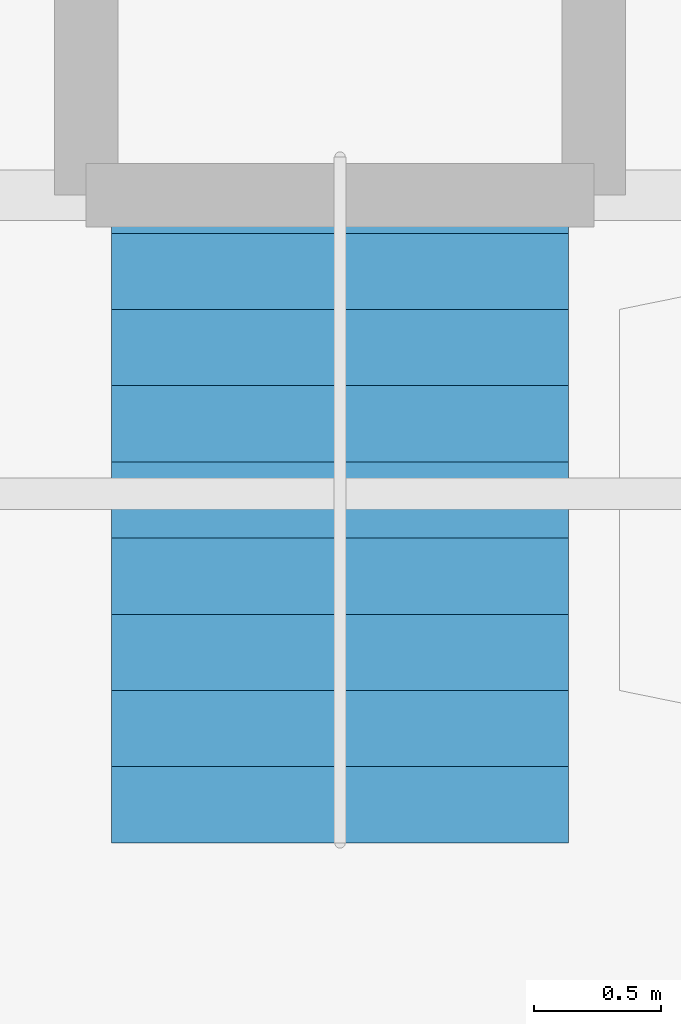
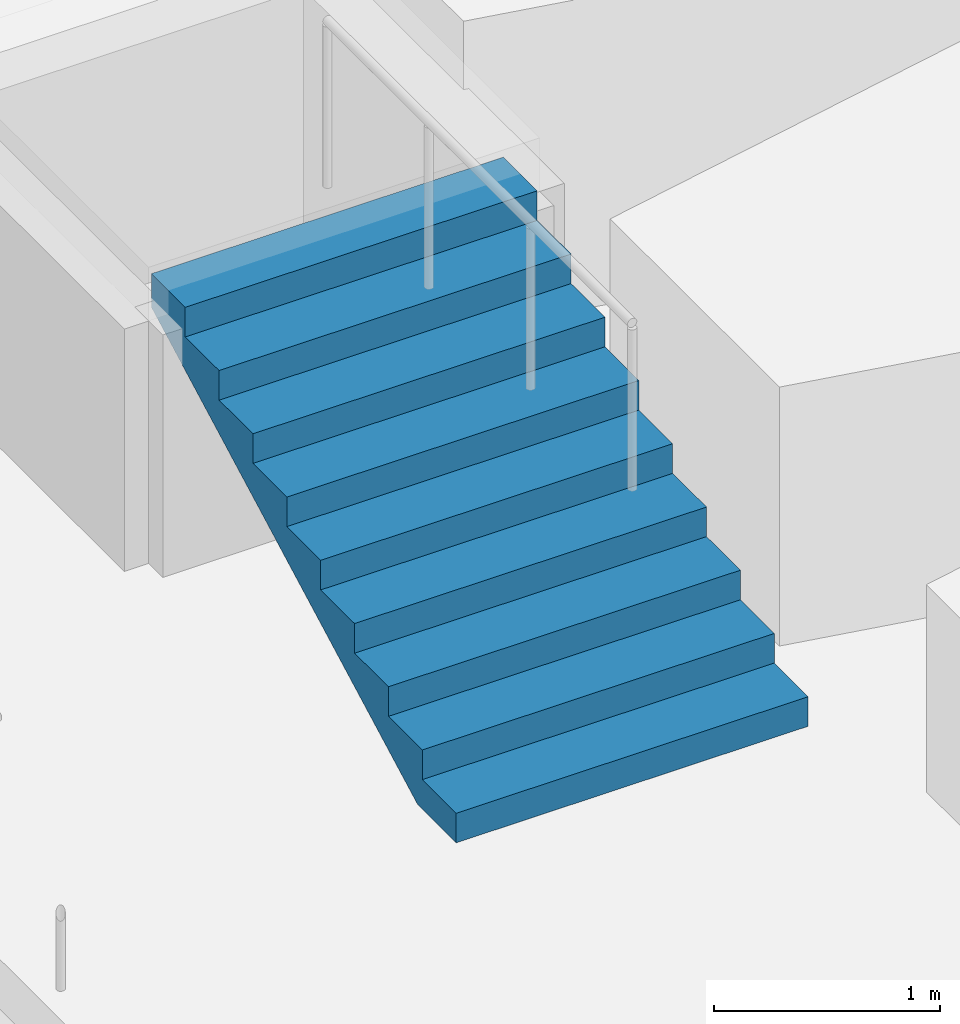
# One storey, part 75 of 86: 1 stair flight, 1 element without a shape of its own.
"""IFC4 building model written with IfcOpenShell, lengths in metres."""

import ifcopenshell
import ifcopenshell.guid

model = None  # the IFC model being written
_history = None  # IfcOwnerHistory: only IFC2X3 demands one
_inside = {}  # id of a spatial element -> (the spatial element, [elements in it])
_under = {}  # id of a project, library or spatial element -> (it, [spatial elements below it])
_declared = {}  # id of a project -> (the project, [libraries it declares])
_typed = {}  # id of a type object -> (the type object, [elements of that type])
_made_of = {}  # id of a material, layer set ... -> (it, [elements and type objects made of it])


def new_model(schema):
    """Start an empty IFC model of exactly this schema.

    Asked for "IFC4X3", IfcOpenShell would pick the latest addendum, in which some entities
    have other attributes; the version numbers below select the first issue.
    IFC2X3 requires an IfcOwnerHistory on every rooted entity: one is made here for all.
    """
    global model, _history
    if schema == "IFC4X3":
        model = ifcopenshell.file(schema_version=(4, 3, 0, 0))
    else:
        model = ifcopenshell.file(schema=schema)
    _inside.clear()
    _under.clear()
    _declared.clear()
    _typed.clear()
    _made_of.clear()
    _history = None
    if model.schema == "IFC2X3":
        org = make("IfcOrganization", Name="unknown")
        user = make(
            "IfcPersonAndOrganization",
            ThePerson=make("IfcPerson", FamilyName="unknown"),
            TheOrganization=org,
        )
        app = make(
            "IfcApplication",
            ApplicationDeveloper=org,
            Version="unknown",
            ApplicationFullName="unknown",
            ApplicationIdentifier="unknown",
        )
        _history = make(
            "IfcOwnerHistory",
            OwningUser=user,
            OwningApplication=app,
            ChangeAction="ADDED",
            CreationDate=0,
        )
    return model


def make(cls, **values):
    """One entity of the class cls with the attributes given. An attribute that is None is left unset."""
    return model.create_entity(
        cls, **{name: value for name, value in values.items() if value is not None}
    )


def rooted(cls, **values):
    """An entity with a GlobalId (a new one), such as an element, a storey or a relation."""
    return make(cls, GlobalId=ifcopenshell.guid.new(), OwnerHistory=_history, **values)


def si_unit(unit_type, name, prefix=None):
    """IfcSIUnit, for example si_unit("LENGTHUNIT", "METRE", prefix="MILLI")."""
    return make("IfcSIUnit", UnitType=unit_type, Prefix=prefix, Name=name)


def assignment(units):
    """IfcUnitAssignment: the units of a project."""
    return None if units is None else make("IfcUnitAssignment", Units=units)


def point(xyz):
    """IfcCartesianPoint."""
    return None if xyz is None else make("IfcCartesianPoint", Coordinates=xyz)


def direction(xyz):
    """IfcDirection."""
    return None if xyz is None else make("IfcDirection", DirectionRatios=xyz)


def frame(location, z_axis=None, x_axis=None):
    """IfcAxis2Placement3D, a coordinate frame: its origin and axes. An axis left out is left unset."""
    return make(
        "IfcAxis2Placement3D",
        Location=point(location),
        Axis=direction(z_axis),
        RefDirection=direction(x_axis),
    )


def origin():
    """The frame at (0, 0, 0) with its axes left unset."""
    return frame((0.0, 0.0, 0.0))


def place(relative_to, where):
    """IfcLocalPlacement: puts the frame where relative to a parent placement (None: the world)."""
    return make(
        "IfcLocalPlacement", PlacementRelTo=relative_to, RelativePlacement=where
    )


def context(
    kind, dimensions, precision=None, world=None, true_north=None, identifier=None
):
    """IfcGeometricRepresentationContext, for example the 3D "Model" context."""
    return make(
        "IfcGeometricRepresentationContext",
        ContextIdentifier=identifier,
        ContextType=kind,
        CoordinateSpaceDimension=dimensions,
        Precision=precision,
        WorldCoordinateSystem=world,
        TrueNorth=true_north,
    )


def subcontext(parent, identifier, kind, view, scale=None):
    """IfcGeometricRepresentationSubContext, for example "Body" below "Model"."""
    return make(
        "IfcGeometricRepresentationSubContext",
        ContextIdentifier=identifier,
        ContextType=kind,
        ParentContext=parent,
        TargetScale=scale,
        TargetView=view,
    )


def project(units=None, contexts=None):
    """IfcProject with its units and contexts."""
    return rooted(
        "IfcProject",
        Name="project",
        RepresentationContexts=contexts,
        UnitsInContext=assignment(units),
    )


def spatial(cls, under=None, at=None, **own):
    """A site, building, storey or space (cls), placed at a placement, below another one or the project."""
    s = rooted(cls, ObjectPlacement=at, **own)
    if under is not None:
        _under.setdefault(under.id(), (under, []))[1].append(s)
    return s


def point_list(points):
    """IfcCartesianPointList2D or 3D."""
    cls = (
        "IfcCartesianPointList2D" if len(points[0]) == 2 else "IfcCartesianPointList3D"
    )
    return make(cls, CoordList=points)


def triangles(points, corners, closed=None, point_numbers=None):
    """IfcTriangulatedFaceSet: each triangle names its three corners, points numbered from 1."""
    return make(
        "IfcTriangulatedFaceSet",
        Coordinates=point_list(points),
        Closed=closed,
        CoordIndex=corners,
        PnIndex=point_numbers,
    )


def shape(context_of_items, identifier, shape_type, items):
    """IfcShapeRepresentation: the items that make up one representation, for example the "Body"."""
    return make(
        "IfcShapeRepresentation",
        ContextOfItems=context_of_items,
        RepresentationIdentifier=identifier,
        RepresentationType=shape_type,
        Items=items,
    )


def material(Name=None, Category=None):
    """IfcMaterial."""
    return make("IfcMaterial", Name=Name, Category=Category)


def layer(
    of_material, thickness, ventilated=None, Name=None, Category=None, Priority=None
):
    """IfcMaterialLayer: one layer of a wall or slab, of a material (None: an air gap)."""
    return make(
        "IfcMaterialLayer",
        Material=of_material,
        LayerThickness=thickness,
        IsVentilated=ventilated,
        Name=Name,
        Category=Category,
        Priority=Priority,
    )


def layer_set(layers, Name=None):
    """IfcMaterialLayerSet."""
    return make("IfcMaterialLayerSet", MaterialLayers=layers, LayerSetName=Name)


def made_of(thing, what):
    """Note that an element or type object is made of a material, layer set ...; save() writes the relation."""
    if what is not None:
        _made_of.setdefault(what.id(), (what, []))[1].append(thing)
    return thing


def type_object(cls, material=None, **own):
    """A type object (cls), such as IfcWallType, which elements share."""
    return made_of(rooted(cls, **own), material)


def element(
    cls,
    number,
    at=None,
    inside=None,
    cuts=None,
    type_object=None,
    material=None,
    context=None,
    identifier="Body",
    shape_type=None,
    held_by="IfcProductDefinitionShape",
    body=None,
    shapes=None,
    **own,
):
    """One element of the class cls, such as IfcWall. Its Tag is "e" and its number.

    at: its placement. inside: the storey or other place that contains it. cuts: it is an
    opening in that element (IfcRelVoidsElement). A single representation is given by context,
    identifier, shape_type and body (its items); several are given by shapes. held_by: the class
    of the entity that holds the representations. save() writes the other relations.
    """
    e = rooted(cls, Tag="e%d" % number, ObjectPlacement=at, **own)
    if body is not None:
        shapes = [shape(context, identifier, shape_type, body)]
    if shapes is not None:
        e.Representation = make(held_by, Representations=shapes)
    if inside is not None:
        _inside.setdefault(inside.id(), (inside, []))[1].append(e)
    if cuts is not None:
        rooted(
            "IfcRelVoidsElement", RelatingBuildingElement=cuts, RelatedOpeningElement=e
        )
    if type_object is not None:
        _typed.setdefault(type_object.id(), (type_object, []))[1].append(e)
    return made_of(e, material)


def aggregate(whole, parts):
    """IfcRelAggregates: a whole, such as a stair, and the parts it consists of."""
    return rooted("IfcRelAggregates", RelatingObject=whole, RelatedObjects=parts)


def save(model, path):
    """Write the relations noted so far, then the file.

    IfcRelAggregates (storeys below a building ...), IfcRelContainedInSpatialStructure (elements
    in a storey), IfcRelDefinesByType, IfcRelAssociatesMaterial and IfcRelDeclares: one each for
    every whole, place, type object, material and project.
    """
    for whole, parts in _under.values():
        aggregate(whole, parts)
    for where, things in _inside.values():
        rooted(
            "IfcRelContainedInSpatialStructure",
            RelatedElements=things,
            RelatingStructure=where,
        )
    for kind, things in _typed.values():
        rooted("IfcRelDefinesByType", RelatedObjects=things, RelatingType=kind)
    for what, things in _made_of.values():
        rooted("IfcRelAssociatesMaterial", RelatedObjects=things, RelatingMaterial=what)
    for by, libraries in _declared.values():
        rooted("IfcRelDeclares", RelatingContext=by, RelatedDefinitions=libraries)
    model.write(path)


model = new_model("IFC4")

# Units and contexts
model_context = context("Model", 3, precision=1e-05, world=origin(), true_north=direction((0.0, 1.0)))
body_context = subcontext(model_context, "Body", "Model", "MODEL_VIEW")
ifc_project = project(units=[si_unit("LENGTHUNIT", "METRE"), si_unit("AREAUNIT", "SQUARE_METRE"), si_unit("VOLUMEUNIT", "CUBIC_METRE"), si_unit("PLANEANGLEUNIT", "RADIAN"), si_unit("MASSUNIT", "GRAM", prefix="KILO")], contexts=[model_context])

# Site, building, storey
site_placement = place(None, origin())
site = spatial("IfcSite", under=ifc_project, at=site_placement, CompositionType="ELEMENT")
building_placement = place(site_placement, origin())
building = spatial("IfcBuilding", under=site, at=building_placement, Name="Solvikara Media Centre", CompositionType="ELEMENT")
storey_placement = place(building_placement, frame((0.0, 0.0, 15.0)))
storey = spatial("IfcBuildingStorey", under=building, at=storey_placement, Name="L03", CompositionType="ELEMENT", Elevation=15.0)

# Stair, stair flight
ifc_material = material(Name="Concrete fc' 35 MPa (C35/45)", Category="concrete")
stair_type = type_object("IfcStairType", Name="SR-07", PredefinedType="STRAIGHT_RUN_STAIR", material=ifc_material)
stair_placement = place(storey_placement, origin())
stair = element("IfcStair", 1, at=stair_placement, inside=storey, type_object=stair_type, Name="ST-AMPH-W", PredefinedType="STRAIGHT_RUN_STAIR")
ifc_layer = layer(ifc_material, 0.159912109375)
ifc_layer_set = layer_set([ifc_layer], Name="Concrete fc' 35 MPa (C35/45)")
stair_flight_type = type_object("IfcStairFlightType", Name="SF-07", PredefinedType="STRAIGHT", material=ifc_layer_set)
stair_flight_placement = place(storey_placement, frame((3.10009765625, 103.25, 0.0), z_axis=(0.0, 0.0, 1.0), x_axis=(0.0, 1.0, 0.0)))
stair_flight = element("IfcStairFlight", 2, at=stair_flight_placement, type_object=stair_flight_type, Name="ST-AMPH-W-F1", NumberOfRisers=10, NumberOfTreads=9, PredefinedType="STRAIGHT", RiserHeight=0.16, TreadLength=0.3, context=body_context, shape_type="Tessellation", body=[
    triangles([(0.33984375, -0.9000244140625, 0.0), (2.699951171875, -0.9000244140625, 1.2587890625), (2.699951171875, -0.9000244140625, 1.43994140625), (2.39990234375, -0.9000244140625, 1.43994140625), (2.39990234375, -0.9000244140625, 1.280029296875), (2.10009765625, -0.9000244140625, 1.280029296875), (2.10009765625, -0.9000244140625, 1.1201171875), (1.800048828125, -0.9000244140625, 1.1201171875), (1.800048828125, -0.9000244140625, 0.9599609375), (1.5, -0.9000244140625, 0.9599609375), (1.5, -0.9000244140625, 0.800048828125), (1.199951171875, -0.9000244140625, 0.800048828125), (1.199951171875, -0.9000244140625, 0.639892578125), (0.89990234375, -0.9000244140625, 0.639892578125), (0.89990234375, -0.9000244140625, 0.47998046875), (0.60009765625, -0.9000244140625, 0.47998046875), (0.60009765625, -0.9000244140625, 0.320068359375), (0.300048828125, -0.9000244140625, 0.320068359375), (0.300048828125, -0.9000244140625, 0.159912109375), (0.0, -0.9000244140625, 0.159912109375), (0.0, -0.9000244140625, 0.0), (0.33984375, -0.675018310546875, 0.0), (2.699951171875, -0.675018310546875, 1.2587890625), (2.699951171875, -0.675018310546875, 1.43994140625), (2.39990234375, -0.675018310546875, 1.43994140625), (2.39990234375, -0.675018310546875, 1.280029296875), (2.10009765625, -0.675018310546875, 1.280029296875), (2.10009765625, -0.675018310546875, 1.1201171875), (1.800048828125, -0.675018310546875, 1.1201171875), (1.800048828125, -0.675018310546875, 0.9599609375), (1.5, -0.675018310546875, 0.9599609375), (1.5, -0.675018310546875, 0.800048828125), (1.199951171875, -0.675018310546875, 0.800048828125), (1.199951171875, -0.675018310546875, 0.639892578125), (0.89990234375, -0.675018310546875, 0.639892578125), (0.89990234375, -0.675018310546875, 0.47998046875), (0.60009765625, -0.675018310546875, 0.47998046875), (0.60009765625, -0.675018310546875, 0.320068359375), (0.300048828125, -0.675018310546875, 0.320068359375), (0.300048828125, -0.675018310546875, 0.159912109375), (0.0, -0.675018310546875, 0.159912109375), (0.0, -0.675018310546875, 0.0), (0.33984375, -0.45001220703125, 0.0), (2.699951171875, -0.45001220703125, 1.2587890625), (2.699951171875, -0.45001220703125, 1.43994140625), (2.39990234375, -0.45001220703125, 1.43994140625), (2.39990234375, -0.45001220703125, 1.280029296875), (2.10009765625, -0.45001220703125, 1.280029296875), (2.10009765625, -0.45001220703125, 1.1201171875), (1.800048828125, -0.45001220703125, 1.1201171875), (1.800048828125, -0.45001220703125, 0.9599609375), (1.5, -0.45001220703125, 0.9599609375), (1.5, -0.45001220703125, 0.800048828125), (1.199951171875, -0.45001220703125, 0.800048828125), (1.199951171875, -0.45001220703125, 0.639892578125), (0.89990234375, -0.45001220703125, 0.639892578125), (0.89990234375, -0.45001220703125, 0.47998046875), (0.60009765625, -0.45001220703125, 0.47998046875), (0.60009765625, -0.45001220703125, 0.320068359375), (0.300048828125, -0.45001220703125, 0.320068359375), (0.300048828125, -0.45001220703125, 0.159912109375), (0.0, -0.45001220703125, 0.159912109375), (0.0, -0.45001220703125, 0.0), (0.33984375, -0.225006103515625, 0.0), (2.699951171875, -0.225006103515625, 1.2587890625), (2.699951171875, -0.225006103515625, 1.43994140625), (2.39990234375, -0.225006103515625, 1.43994140625), (2.39990234375, -0.225006103515625, 1.280029296875), (2.10009765625, -0.225006103515625, 1.280029296875), (2.10009765625, -0.225006103515625, 1.1201171875), (1.800048828125, -0.225006103515625, 1.1201171875), (1.800048828125, -0.225006103515625, 0.9599609375), (1.5, -0.225006103515625, 0.9599609375), (1.5, -0.225006103515625, 0.800048828125), (1.199951171875, -0.225006103515625, 0.800048828125), (1.199951171875, -0.225006103515625, 0.639892578125), (0.89990234375, -0.225006103515625, 0.639892578125), (0.89990234375, -0.225006103515625, 0.47998046875), (0.60009765625, -0.225006103515625, 0.47998046875), (0.60009765625, -0.225006103515625, 0.320068359375), (0.300048828125, -0.225006103515625, 0.320068359375), (0.300048828125, -0.225006103515625, 0.159912109375), (0.0, -0.225006103515625, 0.159912109375), (0.0, -0.225006103515625, 0.0), (0.33984375, 0.0, 0.0), (2.699951171875, 0.0, 1.2587890625), (2.699951171875, 0.0, 1.43994140625), (2.39990234375, 0.0, 1.43994140625), (2.39990234375, 0.0, 1.280029296875), (2.10009765625, 0.0, 1.280029296875), (2.10009765625, 0.0, 1.1201171875), (1.800048828125, 0.0, 1.1201171875), (1.800048828125, 0.0, 0.9599609375), (1.5, 0.0, 0.9599609375), (1.5, 0.0, 0.800048828125), (1.199951171875, 0.0, 0.800048828125), (1.199951171875, 0.0, 0.639892578125), (0.89990234375, 0.0, 0.639892578125), (0.89990234375, 0.0, 0.47998046875), (0.60009765625, 0.0, 0.47998046875), (0.60009765625, 0.0, 0.320068359375), (0.300048828125, 0.0, 0.320068359375), (0.300048828125, 0.0, 0.159912109375), (0.0, 0.0, 0.159912109375), (0.0, 0.0, 0.0), (0.33984375, 0.225006103515625, 0.0), (2.699951171875, 0.225006103515625, 1.2587890625), (2.699951171875, 0.225006103515625, 1.43994140625), (2.39990234375, 0.225006103515625, 1.43994140625), (2.39990234375, 0.225006103515625, 1.280029296875), (2.10009765625, 0.225006103515625, 1.280029296875), (2.10009765625, 0.225006103515625, 1.1201171875), (1.800048828125, 0.225006103515625, 1.1201171875), (1.800048828125, 0.225006103515625, 0.9599609375), (1.5, 0.225006103515625, 0.9599609375), (1.5, 0.225006103515625, 0.800048828125), (1.199951171875, 0.225006103515625, 0.800048828125), (1.199951171875, 0.225006103515625, 0.639892578125), (0.89990234375, 0.225006103515625, 0.639892578125), (0.89990234375, 0.225006103515625, 0.47998046875), (0.60009765625, 0.225006103515625, 0.47998046875), (0.60009765625, 0.225006103515625, 0.320068359375), (0.300048828125, 0.225006103515625, 0.320068359375), (0.300048828125, 0.225006103515625, 0.159912109375), (0.0, 0.225006103515625, 0.159912109375), (0.0, 0.225006103515625, 0.0), (0.33984375, 0.45001220703125, 0.0), (2.699951171875, 0.45001220703125, 1.2587890625), (2.699951171875, 0.45001220703125, 1.43994140625), (2.39990234375, 0.45001220703125, 1.43994140625), (2.39990234375, 0.45001220703125, 1.280029296875), (2.10009765625, 0.45001220703125, 1.280029296875), (2.10009765625, 0.45001220703125, 1.1201171875), (1.800048828125, 0.45001220703125, 1.1201171875), (1.800048828125, 0.45001220703125, 0.9599609375), (1.5, 0.45001220703125, 0.9599609375), (1.5, 0.45001220703125, 0.800048828125), (1.199951171875, 0.45001220703125, 0.800048828125), (1.199951171875, 0.45001220703125, 0.639892578125), (0.89990234375, 0.45001220703125, 0.639892578125), (0.89990234375, 0.45001220703125, 0.47998046875), (0.60009765625, 0.45001220703125, 0.47998046875), (0.60009765625, 0.45001220703125, 0.320068359375), (0.300048828125, 0.45001220703125, 0.320068359375), (0.300048828125, 0.45001220703125, 0.159912109375), (0.0, 0.45001220703125, 0.159912109375), (0.0, 0.45001220703125, 0.0), (0.33984375, 0.675018310546875, 0.0), (2.699951171875, 0.675018310546875, 1.2587890625), (2.699951171875, 0.675018310546875, 1.43994140625), (2.39990234375, 0.675018310546875, 1.43994140625), (2.39990234375, 0.675018310546875, 1.280029296875), (2.10009765625, 0.675018310546875, 1.280029296875), (2.10009765625, 0.675018310546875, 1.1201171875), (1.800048828125, 0.675018310546875, 1.1201171875), (1.800048828125, 0.675018310546875, 0.9599609375), (1.5, 0.675018310546875, 0.9599609375), (1.5, 0.675018310546875, 0.800048828125), (1.199951171875, 0.675018310546875, 0.800048828125), (1.199951171875, 0.675018310546875, 0.639892578125), (0.89990234375, 0.675018310546875, 0.639892578125), (0.89990234375, 0.675018310546875, 0.47998046875), (0.60009765625, 0.675018310546875, 0.47998046875), (0.60009765625, 0.675018310546875, 0.320068359375), (0.300048828125, 0.675018310546875, 0.320068359375), (0.300048828125, 0.675018310546875, 0.159912109375), (0.0, 0.675018310546875, 0.159912109375), (0.0, 0.675018310546875, 0.0), (0.33984375, 0.9000244140625, 0.0), (2.699951171875, 0.9000244140625, 1.2587890625), (2.699951171875, 0.9000244140625, 1.43994140625), (2.39990234375, 0.9000244140625, 1.43994140625), (2.39990234375, 0.9000244140625, 1.280029296875), (2.10009765625, 0.9000244140625, 1.280029296875), (2.10009765625, 0.9000244140625, 1.1201171875), (1.800048828125, 0.9000244140625, 1.1201171875), (1.800048828125, 0.9000244140625, 0.9599609375), (1.5, 0.9000244140625, 0.9599609375), (1.5, 0.9000244140625, 0.800048828125), (1.199951171875, 0.9000244140625, 0.800048828125), (1.199951171875, 0.9000244140625, 0.639892578125), (0.89990234375, 0.9000244140625, 0.639892578125), (0.89990234375, 0.9000244140625, 0.47998046875), (0.60009765625, 0.9000244140625, 0.47998046875), (0.60009765625, 0.9000244140625, 0.320068359375), (0.300048828125, 0.9000244140625, 0.320068359375), (0.300048828125, 0.9000244140625, 0.159912109375), (0.0, 0.9000244140625, 0.159912109375), (0.0, 0.9000244140625, 0.0), (1.5198974609375, -0.7875213623046875, 0.62939453125), (2.699951171875, -0.7875213623046875, 1.349365234375), (2.5499267578125, -0.7875213623046875, 1.43994140625), (2.39990234375, -0.7875213623046875, 1.3599853515625), (2.25, -0.7875213623046875, 1.280029296875), (2.10009765625, -0.7875213623046875, 1.2000732421875), (1.9500732421875, -0.7875213623046875, 1.1201171875), (1.800048828125, -0.7875213623046875, 1.0400390625), (1.6500244140625, -0.7875213623046875, 0.9599609375), (1.5, -0.7875213623046875, 0.8800048828125), (1.3499755859375, -0.7875213623046875, 0.800048828125), (1.199951171875, -0.7875213623046875, 0.719970703125), (1.0499267578125, -0.7875213623046875, 0.639892578125), (0.89990234375, -0.7875213623046875, 0.5599365234375), (0.75, -0.7875213623046875, 0.47998046875), (0.60009765625, -0.7875213623046875, 0.4000244140625), (0.4500732421875, -0.7875213623046875, 0.320068359375), (0.300048828125, -0.7875213623046875, 0.239990234375), (0.1500244140625, -0.7875213623046875, 0.159912109375), (0.0, -0.7875213623046875, 0.0799560546875), (0.169921875, -0.7875213623046875, 0.0), (1.5198974609375, -0.5625152587890625, 0.62939453125), (2.699951171875, -0.5625152587890625, 1.349365234375), (2.5499267578125, -0.5625152587890625, 1.43994140625), (2.39990234375, -0.5625152587890625, 1.3599853515625), (2.25, -0.5625152587890625, 1.280029296875), (2.10009765625, -0.5625152587890625, 1.2000732421875), (1.9500732421875, -0.5625152587890625, 1.1201171875), (1.800048828125, -0.5625152587890625, 1.0400390625), (1.6500244140625, -0.5625152587890625, 0.9599609375), (1.5, -0.5625152587890625, 0.8800048828125), (1.3499755859375, -0.5625152587890625, 0.800048828125), (1.199951171875, -0.5625152587890625, 0.719970703125), (1.0499267578125, -0.5625152587890625, 0.639892578125), (0.89990234375, -0.5625152587890625, 0.5599365234375), (0.75, -0.5625152587890625, 0.47998046875), (0.60009765625, -0.5625152587890625, 0.4000244140625), (0.4500732421875, -0.5625152587890625, 0.320068359375), (0.300048828125, -0.5625152587890625, 0.239990234375), (0.1500244140625, -0.5625152587890625, 0.159912109375), (0.0, -0.5625152587890625, 0.0799560546875), (0.169921875, -0.5625152587890625, 0.0), (1.5198974609375, -0.3375091552734375, 0.62939453125), (2.699951171875, -0.3375091552734375, 1.349365234375), (2.5499267578125, -0.3375091552734375, 1.43994140625), (2.39990234375, -0.3375091552734375, 1.3599853515625), (2.25, -0.3375091552734375, 1.280029296875), (2.10009765625, -0.3375091552734375, 1.2000732421875), (1.9500732421875, -0.3375091552734375, 1.1201171875), (1.800048828125, -0.3375091552734375, 1.0400390625), (1.6500244140625, -0.3375091552734375, 0.9599609375), (1.5, -0.3375091552734375, 0.8800048828125), (1.3499755859375, -0.3375091552734375, 0.800048828125), (1.199951171875, -0.3375091552734375, 0.719970703125), (1.0499267578125, -0.3375091552734375, 0.639892578125), (0.89990234375, -0.3375091552734375, 0.5599365234375), (0.75, -0.3375091552734375, 0.47998046875), (0.60009765625, -0.3375091552734375, 0.4000244140625), (0.4500732421875, -0.3375091552734375, 0.320068359375), (0.300048828125, -0.3375091552734375, 0.239990234375), (0.1500244140625, -0.3375091552734375, 0.159912109375), (0.0, -0.3375091552734375, 0.0799560546875), (0.169921875, -0.3375091552734375, 0.0), (1.5198974609375, -0.1125030517578125, 0.62939453125), (2.699951171875, -0.1125030517578125, 1.349365234375), (2.5499267578125, -0.1125030517578125, 1.43994140625), (2.39990234375, -0.1125030517578125, 1.3599853515625), (2.25, -0.1125030517578125, 1.280029296875), (2.10009765625, -0.1125030517578125, 1.2000732421875), (1.9500732421875, -0.1125030517578125, 1.1201171875), (1.800048828125, -0.1125030517578125, 1.0400390625), (1.6500244140625, -0.1125030517578125, 0.9599609375), (1.5, -0.1125030517578125, 0.8800048828125), (1.3499755859375, -0.1125030517578125, 0.800048828125), (1.199951171875, -0.1125030517578125, 0.719970703125), (1.0499267578125, -0.1125030517578125, 0.639892578125), (0.89990234375, -0.1125030517578125, 0.5599365234375), (0.75, -0.1125030517578125, 0.47998046875), (0.60009765625, -0.1125030517578125, 0.4000244140625), (0.4500732421875, -0.1125030517578125, 0.320068359375), (0.300048828125, -0.1125030517578125, 0.239990234375), (0.1500244140625, -0.1125030517578125, 0.159912109375), (0.0, -0.1125030517578125, 0.0799560546875), (0.169921875, -0.1125030517578125, 0.0), (1.5198974609375, 0.1125030517578125, 0.62939453125), (2.699951171875, 0.1125030517578125, 1.349365234375), (2.5499267578125, 0.1125030517578125, 1.43994140625), (2.39990234375, 0.1125030517578125, 1.3599853515625), (2.25, 0.1125030517578125, 1.280029296875), (2.10009765625, 0.1125030517578125, 1.2000732421875), (1.9500732421875, 0.1125030517578125, 1.1201171875), (1.800048828125, 0.1125030517578125, 1.0400390625), (1.6500244140625, 0.1125030517578125, 0.9599609375), (1.5, 0.1125030517578125, 0.8800048828125), (1.3499755859375, 0.1125030517578125, 0.800048828125), (1.199951171875, 0.1125030517578125, 0.719970703125), (1.0499267578125, 0.1125030517578125, 0.639892578125), (0.89990234375, 0.1125030517578125, 0.5599365234375), (0.75, 0.1125030517578125, 0.47998046875), (0.60009765625, 0.1125030517578125, 0.4000244140625), (0.4500732421875, 0.1125030517578125, 0.320068359375), (0.300048828125, 0.1125030517578125, 0.239990234375), (0.1500244140625, 0.1125030517578125, 0.159912109375), (0.0, 0.1125030517578125, 0.0799560546875), (0.169921875, 0.1125030517578125, 0.0), (1.5198974609375, 0.3375091552734375, 0.62939453125), (2.699951171875, 0.3375091552734375, 1.349365234375), (2.5499267578125, 0.3375091552734375, 1.43994140625), (2.39990234375, 0.3375091552734375, 1.3599853515625), (2.25, 0.3375091552734375, 1.280029296875), (2.10009765625, 0.3375091552734375, 1.2000732421875), (1.9500732421875, 0.3375091552734375, 1.1201171875), (1.800048828125, 0.3375091552734375, 1.0400390625), (1.6500244140625, 0.3375091552734375, 0.9599609375), (1.5, 0.3375091552734375, 0.8800048828125), (1.3499755859375, 0.3375091552734375, 0.800048828125), (1.199951171875, 0.3375091552734375, 0.719970703125), (1.0499267578125, 0.3375091552734375, 0.639892578125), (0.89990234375, 0.3375091552734375, 0.5599365234375), (0.75, 0.3375091552734375, 0.47998046875), (0.60009765625, 0.3375091552734375, 0.4000244140625), (0.4500732421875, 0.3375091552734375, 0.320068359375), (0.300048828125, 0.3375091552734375, 0.239990234375), (0.1500244140625, 0.3375091552734375, 0.159912109375), (0.0, 0.3375091552734375, 0.0799560546875), (0.169921875, 0.3375091552734375, 0.0), (1.5198974609375, 0.5625152587890625, 0.62939453125), (2.699951171875, 0.5625152587890625, 1.349365234375), (2.5499267578125, 0.5625152587890625, 1.43994140625), (2.39990234375, 0.5625152587890625, 1.3599853515625), (2.25, 0.5625152587890625, 1.280029296875), (2.10009765625, 0.5625152587890625, 1.2000732421875), (1.9500732421875, 0.5625152587890625, 1.1201171875), (1.800048828125, 0.5625152587890625, 1.0400390625), (1.6500244140625, 0.5625152587890625, 0.9599609375), (1.5, 0.5625152587890625, 0.8800048828125), (1.3499755859375, 0.5625152587890625, 0.800048828125), (1.199951171875, 0.5625152587890625, 0.719970703125), (1.0499267578125, 0.5625152587890625, 0.639892578125), (0.89990234375, 0.5625152587890625, 0.5599365234375), (0.75, 0.5625152587890625, 0.47998046875), (0.60009765625, 0.5625152587890625, 0.4000244140625), (0.4500732421875, 0.5625152587890625, 0.320068359375), (0.300048828125, 0.5625152587890625, 0.239990234375), (0.1500244140625, 0.5625152587890625, 0.159912109375), (0.0, 0.5625152587890625, 0.0799560546875), (0.169921875, 0.5625152587890625, 0.0), (1.5198974609375, 0.7875213623046875, 0.62939453125), (2.699951171875, 0.7875213623046875, 1.349365234375), (2.5499267578125, 0.7875213623046875, 1.43994140625), (2.39990234375, 0.7875213623046875, 1.3599853515625), (2.25, 0.7875213623046875, 1.280029296875), (2.10009765625, 0.7875213623046875, 1.2000732421875), (1.9500732421875, 0.7875213623046875, 1.1201171875), (1.800048828125, 0.7875213623046875, 1.0400390625), (1.6500244140625, 0.7875213623046875, 0.9599609375), (1.5, 0.7875213623046875, 0.8800048828125), (1.3499755859375, 0.7875213623046875, 0.800048828125), (1.199951171875, 0.7875213623046875, 0.719970703125), (1.0499267578125, 0.7875213623046875, 0.639892578125), (0.89990234375, 0.7875213623046875, 0.5599365234375), (0.75, 0.7875213623046875, 0.47998046875), (0.60009765625, 0.7875213623046875, 0.4000244140625), (0.4500732421875, 0.7875213623046875, 0.320068359375), (0.300048828125, 0.7875213623046875, 0.239990234375), (0.1500244140625, 0.7875213623046875, 0.159912109375), (0.0, 0.7875213623046875, 0.0799560546875), (0.169921875, 0.7875213623046875, 0.0)], [[1, 22, 190], [22, 23, 190], [23, 2, 190], [2, 1, 190], [2, 23, 191], [23, 24, 191], [24, 3, 191], [3, 2, 191], [3, 24, 192], [24, 25, 192], [25, 4, 192], [4, 3, 192], [4, 25, 193], [25, 26, 193], [26, 5, 193], [5, 4, 193], [5, 26, 194], [26, 27, 194], [27, 6, 194], [6, 5, 194], [6, 27, 195], [27, 28, 195], [28, 7, 195], [7, 6, 195], [7, 28, 196], [28, 29, 196], [29, 8, 196], [8, 7, 196], [8, 29, 197], [29, 30, 197], [30, 9, 197], [9, 8, 197], [9, 30, 198], [30, 31, 198], [31, 10, 198], [10, 9, 198], [10, 31, 199], [31, 32, 199], [32, 11, 199], [11, 10, 199], [11, 32, 200], [32, 33, 200], [33, 12, 200], [12, 11, 200], [12, 33, 201], [33, 34, 201], [34, 13, 201], [13, 12, 201], [13, 34, 202], [34, 35, 202], [35, 14, 202], [14, 13, 202], [14, 35, 203], [35, 36, 203], [36, 15, 203], [15, 14, 203], [15, 36, 204], [36, 37, 204], [37, 16, 204], [16, 15, 204], [16, 37, 205], [37, 38, 205], [38, 17, 205], [17, 16, 205], [17, 38, 206], [38, 39, 206], [39, 18, 206], [18, 17, 206], [18, 39, 207], [39, 40, 207], [40, 19, 207], [19, 18, 207], [19, 40, 208], [40, 41, 208], [41, 20, 208], [20, 19, 208], [20, 41, 209], [41, 42, 209], [42, 21, 209], [21, 20, 209], [21, 42, 210], [42, 22, 210], [22, 1, 210], [1, 21, 210], [22, 43, 211], [43, 44, 211], [44, 23, 211], [23, 22, 211], [23, 44, 212], [44, 45, 212], [45, 24, 212], [24, 23, 212], [24, 45, 213], [45, 46, 213], [46, 25, 213], [25, 24, 213], [25, 46, 214], [46, 47, 214], [47, 26, 214], [26, 25, 214], [26, 47, 215], [47, 48, 215], [48, 27, 215], [27, 26, 215], [27, 48, 216], [48, 49, 216], [49, 28, 216], [28, 27, 216], [28, 49, 217], [49, 50, 217], [50, 29, 217], [29, 28, 217], [29, 50, 218], [50, 51, 218], [51, 30, 218], [30, 29, 218], [30, 51, 219], [51, 52, 219], [52, 31, 219], [31, 30, 219], [31, 52, 220], [52, 53, 220], [53, 32, 220], [32, 31, 220], [32, 53, 221], [53, 54, 221], [54, 33, 221], [33, 32, 221], [33, 54, 222], [54, 55, 222], [55, 34, 222], [34, 33, 222], [34, 55, 223], [55, 56, 223], [56, 35, 223], [35, 34, 223], [35, 56, 224], [56, 57, 224], [57, 36, 224], [36, 35, 224], [36, 57, 225], [57, 58, 225], [58, 37, 225], [37, 36, 225], [37, 58, 226], [58, 59, 226], [59, 38, 226], [38, 37, 226], [38, 59, 227], [59, 60, 227], [60, 39, 227], [39, 38, 227], [39, 60, 228], [60, 61, 228], [61, 40, 228], [40, 39, 228], [40, 61, 229], [61, 62, 229], [62, 41, 229], [41, 40, 229], [41, 62, 230], [62, 63, 230], [63, 42, 230], [42, 41, 230], [42, 63, 231], [63, 43, 231], [43, 22, 231], [22, 42, 231], [43, 64, 232], [64, 65, 232], [65, 44, 232], [44, 43, 232], [44, 65, 233], [65, 66, 233], [66, 45, 233], [45, 44, 233], [45, 66, 234], [66, 67, 234], [67, 46, 234], [46, 45, 234], [46, 67, 235], [67, 68, 235], [68, 47, 235], [47, 46, 235], [47, 68, 236], [68, 69, 236], [69, 48, 236], [48, 47, 236], [48, 69, 237], [69, 70, 237], [70, 49, 237], [49, 48, 237], [49, 70, 238], [70, 71, 238], [71, 50, 238], [50, 49, 238], [50, 71, 239], [71, 72, 239], [72, 51, 239], [51, 50, 239], [51, 72, 240], [72, 73, 240], [73, 52, 240], [52, 51, 240], [52, 73, 241], [73, 74, 241], [74, 53, 241], [53, 52, 241], [53, 74, 242], [74, 75, 242], [75, 54, 242], [54, 53, 242], [54, 75, 243], [75, 76, 243], [76, 55, 243], [55, 54, 243], [55, 76, 244], [76, 77, 244], [77, 56, 244], [56, 55, 244], [56, 77, 245], [77, 78, 245], [78, 57, 245], [57, 56, 245], [57, 78, 246], [78, 79, 246], [79, 58, 246], [58, 57, 246], [58, 79, 247], [79, 80, 247], [80, 59, 247], [59, 58, 247], [59, 80, 248], [80, 81, 248], [81, 60, 248], [60, 59, 248], [60, 81, 249], [81, 82, 249], [82, 61, 249], [61, 60, 249], [61, 82, 250], [82, 83, 250], [83, 62, 250], [62, 61, 250], [62, 83, 251], [83, 84, 251], [84, 63, 251], [63, 62, 251], [63, 84, 252], [84, 64, 252], [64, 43, 252], [43, 63, 252], [64, 85, 253], [85, 86, 253], [86, 65, 253], [65, 64, 253], [65, 86, 254], [86, 87, 254], [87, 66, 254], [66, 65, 254], [66, 87, 255], [87, 88, 255], [88, 67, 255], [67, 66, 255], [67, 88, 256], [88, 89, 256], [89, 68, 256], [68, 67, 256], [68, 89, 257], [89, 90, 257], [90, 69, 257], [69, 68, 257], [69, 90, 258], [90, 91, 258], [91, 70, 258], [70, 69, 258], [70, 91, 259], [91, 92, 259], [92, 71, 259], [71, 70, 259], [71, 92, 260], [92, 93, 260], [93, 72, 260], [72, 71, 260], [72, 93, 261], [93, 94, 261], [94, 73, 261], [73, 72, 261], [73, 94, 262], [94, 95, 262], [95, 74, 262], [74, 73, 262], [74, 95, 263], [95, 96, 263], [96, 75, 263], [75, 74, 263], [75, 96, 264], [96, 97, 264], [97, 76, 264], [76, 75, 264], [76, 97, 265], [97, 98, 265], [98, 77, 265], [77, 76, 265], [77, 98, 266], [98, 99, 266], [99, 78, 266], [78, 77, 266], [78, 99, 267], [99, 100, 267], [100, 79, 267], [79, 78, 267], [79, 100, 268], [100, 101, 268], [101, 80, 268], [80, 79, 268], [80, 101, 269], [101, 102, 269], [102, 81, 269], [81, 80, 269], [81, 102, 270], [102, 103, 270], [103, 82, 270], [82, 81, 270], [82, 103, 271], [103, 104, 271], [104, 83, 271], [83, 82, 271], [83, 104, 272], [104, 105, 272], [105, 84, 272], [84, 83, 272], [84, 105, 273], [105, 85, 273], [85, 64, 273], [64, 84, 273], [85, 106, 274], [106, 107, 274], [107, 86, 274], [86, 85, 274], [86, 107, 275], [107, 108, 275], [108, 87, 275], [87, 86, 275], [87, 108, 276], [108, 109, 276], [109, 88, 276], [88, 87, 276], [88, 109, 277], [109, 110, 277], [110, 89, 277], [89, 88, 277], [89, 110, 278], [110, 111, 278], [111, 90, 278], [90, 89, 278], [90, 111, 279], [111, 112, 279], [112, 91, 279], [91, 90, 279], [91, 112, 280], [112, 113, 280], [113, 92, 280], [92, 91, 280], [92, 113, 281], [113, 114, 281], [114, 93, 281], [93, 92, 281], [93, 114, 282], [114, 115, 282], [115, 94, 282], [94, 93, 282], [94, 115, 283], [115, 116, 283], [116, 95, 283], [95, 94, 283], [95, 116, 284], [116, 117, 284], [117, 96, 284], [96, 95, 284], [96, 117, 285], [117, 118, 285], [118, 97, 285], [97, 96, 285], [97, 118, 286], [118, 119, 286], [119, 98, 286], [98, 97, 286], [98, 119, 287], [119, 120, 287], [120, 99, 287], [99, 98, 287], [99, 120, 288], [120, 121, 288], [121, 100, 288], [100, 99, 288], [100, 121, 289], [121, 122, 289], [122, 101, 289], [101, 100, 289], [101, 122, 290], [122, 123, 290], [123, 102, 290], [102, 101, 290], [102, 123, 291], [123, 124, 291], [124, 103, 291], [103, 102, 291], [103, 124, 292], [124, 125, 292], [125, 104, 292], [104, 103, 292], [104, 125, 293], [125, 126, 293], [126, 105, 293], [105, 104, 293], [105, 126, 294], [126, 106, 294], [106, 85, 294], [85, 105, 294], [106, 127, 295], [127, 128, 295], [128, 107, 295], [107, 106, 295], [107, 128, 296], [128, 129, 296], [129, 108, 296], [108, 107, 296], [108, 129, 297], [129, 130, 297], [130, 109, 297], [109, 108, 297], [109, 130, 298], [130, 131, 298], [131, 110, 298], [110, 109, 298], [110, 131, 299], [131, 132, 299], [132, 111, 299], [111, 110, 299], [111, 132, 300], [132, 133, 300], [133, 112, 300], [112, 111, 300], [112, 133, 301], [133, 134, 301], [134, 113, 301], [113, 112, 301], [113, 134, 302], [134, 135, 302], [135, 114, 302], [114, 113, 302], [114, 135, 303], [135, 136, 303], [136, 115, 303], [115, 114, 303], [115, 136, 304], [136, 137, 304], [137, 116, 304], [116, 115, 304], [116, 137, 305], [137, 138, 305], [138, 117, 305], [117, 116, 305], [117, 138, 306], [138, 139, 306], [139, 118, 306], [118, 117, 306], [118, 139, 307], [139, 140, 307], [140, 119, 307], [119, 118, 307], [119, 140, 308], [140, 141, 308], [141, 120, 308], [120, 119, 308], [120, 141, 309], [141, 142, 309], [142, 121, 309], [121, 120, 309], [121, 142, 310], [142, 143, 310], [143, 122, 310], [122, 121, 310], [122, 143, 311], [143, 144, 311], [144, 123, 311], [123, 122, 311], [123, 144, 312], [144, 145, 312], [145, 124, 312], [124, 123, 312], [124, 145, 313], [145, 146, 313], [146, 125, 313], [125, 124, 313], [125, 146, 314], [146, 147, 314], [147, 126, 314], [126, 125, 314], [126, 147, 315], [147, 127, 315], [127, 106, 315], [106, 126, 315], [127, 148, 316], [148, 149, 316], [149, 128, 316], [128, 127, 316], [128, 149, 317], [149, 150, 317], [150, 129, 317], [129, 128, 317], [129, 150, 318], [150, 151, 318], [151, 130, 318], [130, 129, 318], [130, 151, 319], [151, 152, 319], [152, 131, 319], [131, 130, 319], [131, 152, 320], [152, 153, 320], [153, 132, 320], [132, 131, 320], [132, 153, 321], [153, 154, 321], [154, 133, 321], [133, 132, 321], [133, 154, 322], [154, 155, 322], [155, 134, 322], [134, 133, 322], [134, 155, 323], [155, 156, 323], [156, 135, 323], [135, 134, 323], [135, 156, 324], [156, 157, 324], [157, 136, 324], [136, 135, 324], [136, 157, 325], [157, 158, 325], [158, 137, 325], [137, 136, 325], [137, 158, 326], [158, 159, 326], [159, 138, 326], [138, 137, 326], [138, 159, 327], [159, 160, 327], [160, 139, 327], [139, 138, 327], [139, 160, 328], [160, 161, 328], [161, 140, 328], [140, 139, 328], [140, 161, 329], [161, 162, 329], [162, 141, 329], [141, 140, 329], [141, 162, 330], [162, 163, 330], [163, 142, 330], [142, 141, 330], [142, 163, 331], [163, 164, 331], [164, 143, 331], [143, 142, 331], [143, 164, 332], [164, 165, 332], [165, 144, 332], [144, 143, 332], [144, 165, 333], [165, 166, 333], [166, 145, 333], [145, 144, 333], [145, 166, 334], [166, 167, 334], [167, 146, 334], [146, 145, 334], [146, 167, 335], [167, 168, 335], [168, 147, 335], [147, 146, 335], [147, 168, 336], [168, 148, 336], [148, 127, 336], [127, 147, 336], [148, 169, 337], [169, 170, 337], [170, 149, 337], [149, 148, 337], [149, 170, 338], [170, 171, 338], [171, 150, 338], [150, 149, 338], [150, 171, 339], [171, 172, 339], [172, 151, 339], [151, 150, 339], [151, 172, 340], [172, 173, 340], [173, 152, 340], [152, 151, 340], [152, 173, 341], [173, 174, 341], [174, 153, 341], [153, 152, 341], [153, 174, 342], [174, 175, 342], [175, 154, 342], [154, 153, 342], [154, 175, 343], [175, 176, 343], [176, 155, 343], [155, 154, 343], [155, 176, 344], [176, 177, 344], [177, 156, 344], [156, 155, 344], [156, 177, 345], [177, 178, 345], [178, 157, 345], [157, 156, 345], [157, 178, 346], [178, 179, 346], [179, 158, 346], [158, 157, 346], [158, 179, 347], [179, 180, 347], [180, 159, 347], [159, 158, 347], [159, 180, 348], [180, 181, 348], [181, 160, 348], [160, 159, 348], [160, 181, 349], [181, 182, 349], [182, 161, 349], [161, 160, 349], [161, 182, 350], [182, 183, 350], [183, 162, 350], [162, 161, 350], [162, 183, 351], [183, 184, 351], [184, 163, 351], [163, 162, 351], [163, 184, 352], [184, 185, 352], [185, 164, 352], [164, 163, 352], [164, 185, 353], [185, 186, 353], [186, 165, 353], [165, 164, 353], [165, 186, 354], [186, 187, 354], [187, 166, 354], [166, 165, 354], [166, 187, 355], [187, 188, 355], [188, 167, 355], [167, 166, 355], [167, 188, 356], [188, 189, 356], [189, 168, 356], [168, 167, 356], [168, 189, 357], [189, 169, 357], [169, 148, 357], [148, 168, 357], [21, 1, 2], [189, 170, 169], [2, 3, 4], [170, 172, 171], [2, 4, 5], [170, 173, 172], [2, 5, 6], [170, 174, 173], [2, 6, 7], [170, 175, 174], [7, 8, 9], [175, 177, 176], [2, 7, 9], [170, 177, 175], [9, 10, 11], [177, 179, 178], [2, 9, 11], [170, 179, 177], [11, 12, 13], [179, 181, 180], [2, 11, 13], [170, 181, 179], [13, 14, 15], [181, 183, 182], [2, 13, 15], [170, 183, 181], [15, 16, 17], [183, 185, 184], [2, 15, 17], [170, 185, 183], [17, 18, 19], [185, 187, 186], [2, 17, 19], [170, 187, 185], [21, 2, 19], [189, 187, 170], [19, 20, 21], [187, 189, 188]], closed=True),
])
aggregate(stair, [stair_flight])

save(model, "model.ifc")
